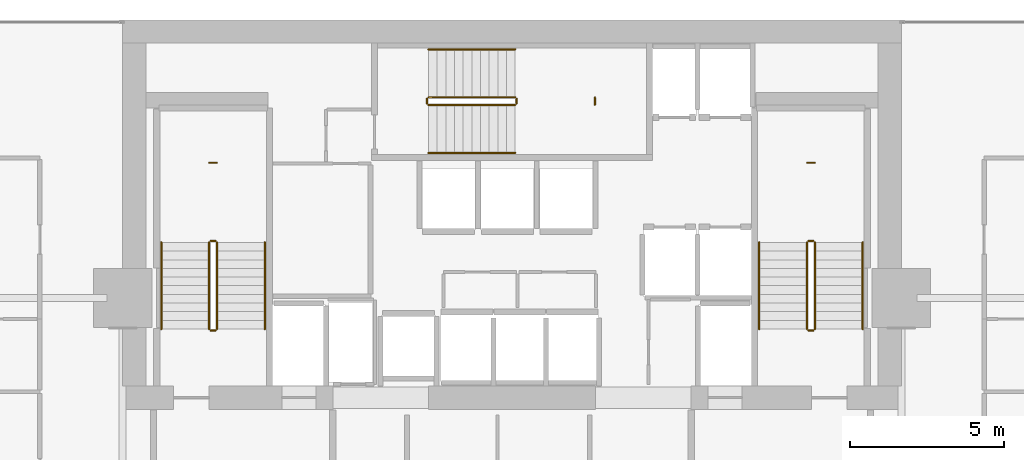
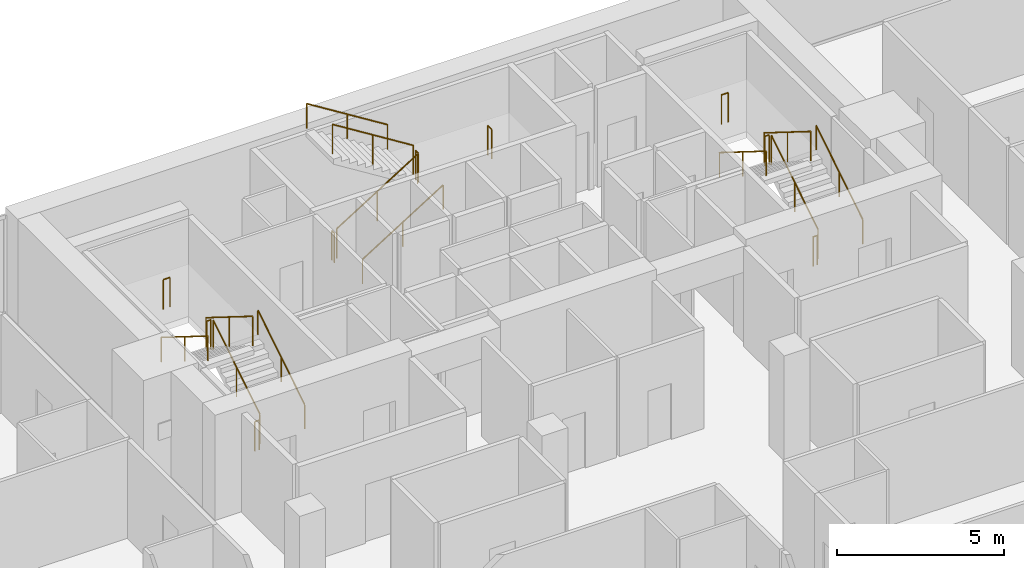
# One storey, part 34 of 34: 21 railings.
"""IFC4 building model written with IfcOpenShell, lengths in metres."""

from ifc_helpers import new_model, si_unit, direction, frame, origin, origin_2d, place, context, subcontext, project, spatial, circle, extrude, material, type_object, element, save


model = new_model("IFC4")

# Units and contexts
model_context = context("Model", 3, precision=1e-05, world=origin(), true_north=direction((0.0, 1.0)))
body_context = subcontext(model_context, "Body", "Model", "MODEL_VIEW")
ifc_project = project(units=[si_unit("LENGTHUNIT", "METRE"), si_unit("AREAUNIT", "SQUARE_METRE"), si_unit("VOLUMEUNIT", "CUBIC_METRE"), si_unit("PLANEANGLEUNIT", "RADIAN"), si_unit("MASSUNIT", "GRAM", prefix="KILO")], contexts=[model_context])

# Site, building, storey
site_placement = place(None, origin())
site = spatial("IfcSite", under=ifc_project, at=site_placement, CompositionType="ELEMENT")
building_placement = place(site_placement, origin())
building = spatial("IfcBuilding", under=site, at=building_placement, Name="Maruvema Waterfront Hotel and Observation Tower", CompositionType="ELEMENT")
storey_placement = place(building_placement, frame((0.0, 0.0, 135.10009765625)))
storey = spatial("IfcBuildingStorey", under=building, at=storey_placement, Name="L32", CompositionType="ELEMENT", Elevation=135.10009765625)

# Railings
ifc_material_1 = material(Name="Brushed stainless steel Grade 316", Category="steel")
railing_type_1 = type_object("IfcRailingType", Name="Ramp Continuous Wall Handrail 920 mm", PredefinedType="HANDRAIL", material=ifc_material_1)
railing_1_placement = place(storey_placement, frame((29.800048828125, 44.0, 0.1748046875)))
element("IfcRailing", 1, at=railing_1_placement, inside=storey, type_object=railing_type_1, Name="L32 ST-01 stair handrail 1", PredefinedType="HANDRAIL", context=body_context, shape_type="SweptSolid", body=[
    extrude(circle(Radius=0.02392578125, at=origin_2d()), frame((0.0, 0.0, 0.89599609375), z_axis=(0.0, 0.848002457836, 0.529992293815), x_axis=(-1.0, 0.0, 0.0)), (0.0, 0.0, 1.0), 3.302001953125),
    extrude(circle(Radius=0.02099609375, at=origin_2d()), origin(), (0.0, 0.0, 1.0), 0.871826171875),
    extrude(circle(Radius=0.02099609375, at=origin_2d()), frame((0.0, 1.39990234375, 0.875)), (0.0, 0.0, 1.0), 0.871826171875),
    extrude(circle(Radius=0.02099609375, at=origin_2d()), frame((0.0, 2.800048828125, 1.75)), (0.0, 0.0, 1.0), 0.871826171875),
])
railing_2_placement = place(storey_placement, frame((26.449951171875, 46.800048828125, 2.099853515625)))
element("IfcRailing", 2, at=railing_2_placement, inside=storey, type_object=railing_type_1, Name="L32 ST-01 stair handrail 2", PredefinedType="HANDRAIL", context=body_context, shape_type="SweptSolid", body=[
    extrude(circle(Radius=0.02392578125, at=origin_2d()), frame((0.0, 0.0, 0.89599609375), z_axis=(0.0, -0.848002457836, 0.529992293815), x_axis=(1.0, 0.0, 0.0)), (0.0, 0.0, 1.0), 3.302001953125),
    extrude(circle(Radius=0.02099609375, at=origin_2d()), origin(), (0.0, 0.0, 1.0), 0.871826171875),
    extrude(circle(Radius=0.02099609375, at=origin_2d()), frame((0.0, -1.39990234375, 0.875)), (0.0, 0.0, 1.0), 0.871826171875),
    extrude(circle(Radius=0.02099609375, at=origin_2d()), frame((0.0, -2.800048828125, 1.75)), (0.0, 0.0, 1.0), 0.871826171875),
])
railing_3_placement = place(storey_placement, frame((35.10009765625, 49.699951171875, 0.1748046875)))
element("IfcRailing", 3, at=railing_3_placement, inside=storey, type_object=railing_type_1, Name="L32 ST-02 stair handrail 1", PredefinedType="HANDRAIL", context=body_context, shape_type="SweptSolid", body=[
    extrude(circle(Radius=0.02392578125, at=origin_2d()), frame((0.0, 0.0, 0.89599609375), z_axis=(0.847981687118, 0.0, 0.530025526095), x_axis=(0.0, 1.0, 0.0)), (0.0, 0.0, 1.0), 3.3017578125),
    extrude(circle(Radius=0.02099609375, at=origin_2d()), origin(), (0.0, 0.0, 1.0), 0.871826171875),
    extrude(circle(Radius=0.02099609375, at=origin_2d()), frame((1.39990234375, 0.0, 0.875)), (0.0, 0.0, 1.0), 0.871826171875),
    extrude(circle(Radius=0.02099609375, at=origin_2d()), frame((2.7998046875, 0.0, 1.75)), (0.0, 0.0, 1.0), 0.871826171875),
])
railing_4_placement = place(storey_placement, frame((37.89990234375, 53.050048828125, 2.099853515625)))
element("IfcRailing", 4, at=railing_4_placement, inside=storey, type_object=railing_type_1, Name="L32 ST-02 stair handrail 2", PredefinedType="HANDRAIL", context=body_context, shape_type="SweptSolid", body=[
    extrude(circle(Radius=0.02392578125, at=origin_2d()), frame((0.0, 0.0, 0.89599609375), z_axis=(-0.847981687118, 0.0, 0.530025526095), x_axis=(0.0, -1.0, 0.0)), (0.0, 0.0, 1.0), 3.3017578125),
    extrude(circle(Radius=0.02099609375, at=origin_2d()), origin(), (0.0, 0.0, 1.0), 0.871826171875),
    extrude(circle(Radius=0.02099609375, at=origin_2d()), frame((-1.39990234375, 0.0, 0.875)), (0.0, 0.0, 1.0), 0.871826171875),
    extrude(circle(Radius=0.02099609375, at=origin_2d()), frame((-2.7998046875, 0.0, 1.75)), (0.0, 0.0, 1.0), 0.871826171875),
])
railing_5_placement = place(storey_placement, frame((49.14990234375, 44.0, 0.1748046875)))
element("IfcRailing", 5, at=railing_5_placement, inside=storey, type_object=railing_type_1, Name="L32 ST-03 stair handrail 1", PredefinedType="HANDRAIL", context=body_context, shape_type="SweptSolid", body=[
    extrude(circle(Radius=0.02392578125, at=origin_2d()), frame((0.0, 0.0, 0.89599609375), z_axis=(0.0, 0.848002457836, 0.529992293815), x_axis=(-1.0, 0.0, 0.0)), (0.0, 0.0, 1.0), 3.302001953125),
    extrude(circle(Radius=0.02099609375, at=origin_2d()), origin(), (0.0, 0.0, 1.0), 0.871826171875),
    extrude(circle(Radius=0.02099609375, at=origin_2d()), frame((0.0, 1.39990234375, 0.875)), (0.0, 0.0, 1.0), 0.871826171875),
    extrude(circle(Radius=0.02099609375, at=origin_2d()), frame((0.0, 2.800048828125, 1.75)), (0.0, 0.0, 1.0), 0.871826171875),
])
railing_6_placement = place(storey_placement, frame((45.800048828125, 46.800048828125, 2.099853515625)))
element("IfcRailing", 6, at=railing_6_placement, inside=storey, type_object=railing_type_1, Name="L32 ST-03 stair handrail 2", PredefinedType="HANDRAIL", context=body_context, shape_type="SweptSolid", body=[
    extrude(circle(Radius=0.02392578125, at=origin_2d()), frame((0.0, 0.0, 0.89599609375), z_axis=(0.0, -0.848002457836, 0.529992293815), x_axis=(1.0, 0.0, 0.0)), (0.0, 0.0, 1.0), 3.302001953125),
    extrude(circle(Radius=0.02099609375, at=origin_2d()), origin(), (0.0, 0.0, 1.0), 0.871826171875),
    extrude(circle(Radius=0.02099609375, at=origin_2d()), frame((0.0, -1.39990234375, 0.875)), (0.0, 0.0, 1.0), 0.871826171875),
    extrude(circle(Radius=0.02099609375, at=origin_2d()), frame((0.0, -2.800048828125, 1.75)), (0.0, 0.0, 1.0), 0.871826171875),
])
ifc_material_2 = material(Name="Brushed stainless steel Grade 316", Category="steel")
railing_type_2 = type_object("IfcRailingType", Name="Ramp and Terrace Guard Balustrade 1100 mm", PredefinedType="BALUSTRADE", material=ifc_material_2)
railing_7_placement = place(storey_placement, frame((28.25, 44.0, 0.1748046875)))
element("IfcRailing", 7, at=railing_7_placement, inside=storey, type_object=railing_type_2, Name="L32 ST-01 stair guard 1", PredefinedType="BALUSTRADE", context=body_context, shape_type="SweptSolid", body=[
    extrude(circle(Radius=0.02392578125, at=origin_2d()), frame((0.0, 0.0, 1.076171875), z_axis=(0.0, 0.848002457836, 0.529992293815), x_axis=(-1.0, 0.0, 0.0)), (0.0, 0.0, 1.0), 3.302001953125),
    extrude(circle(Radius=0.02099609375, at=origin_2d()), origin(), (0.0, 0.0, 1.0), 1.052001953125),
    extrude(circle(Radius=0.02099609375, at=origin_2d()), frame((0.0, 1.39990234375, 0.875)), (0.0, 0.0, 1.0), 1.052001953125),
    extrude(circle(Radius=0.02099609375, at=origin_2d()), frame((0.0, 2.800048828125, 1.75)), (0.0, 0.0, 1.0), 1.052001953125),
])
railing_8_placement = place(storey_placement, frame((28.199951171875, 46.85009765625, 1.9248046875)))
element("IfcRailing", 8, at=railing_8_placement, inside=storey, type_object=railing_type_2, Name="L32 ST-01 stair guard 2", PredefinedType="BALUSTRADE", context=body_context, shape_type="SweptSolid", body=[
    extrude(circle(Radius=0.02392578125, at=origin_2d()), frame((0.0, 0.0, 1.076171875), z_axis=(-1.0, 0.0, 0.0), x_axis=(0.0, -1.0, 0.0)), (0.0, 0.0, 1.0), 0.14990234375),
    extrude(circle(Radius=0.02099609375, at=origin_2d()), origin(), (0.0, 0.0, 1.0), 1.052001953125),
    extrude(circle(Radius=0.02099609375, at=origin_2d()), frame((-0.14990234375, 0.0, 0.0)), (0.0, 0.0, 1.0), 1.052001953125),
])
railing_9_placement = place(storey_placement, frame((28.0, 46.800048828125, 2.099853515625)))
element("IfcRailing", 9, at=railing_9_placement, inside=storey, type_object=railing_type_2, Name="L32 ST-01 stair guard 3", PredefinedType="BALUSTRADE", context=body_context, shape_type="SweptSolid", body=[
    extrude(circle(Radius=0.02392578125, at=origin_2d()), frame((0.0, 0.0, 1.076171875), z_axis=(0.0, -0.848002457836, 0.529992293815), x_axis=(1.0, 0.0, 0.0)), (0.0, 0.0, 1.0), 3.302001953125),
    extrude(circle(Radius=0.02099609375, at=origin_2d()), origin(), (0.0, 0.0, 1.0), 1.052001953125),
    extrude(circle(Radius=0.02099609375, at=origin_2d()), frame((0.0, -1.39990234375, 0.875)), (0.0, 0.0, 1.0), 1.052001953125),
    extrude(circle(Radius=0.02099609375, at=origin_2d()), frame((0.0, -2.800048828125, 1.75)), (0.0, 0.0, 1.0), 1.052001953125),
])
railing_10_placement = place(storey_placement, frame((28.199951171875, 43.949951171875, 0.0)))
element("IfcRailing", 10, at=railing_10_placement, inside=storey, type_object=railing_type_2, Name="L32 ST-01 stair guard 4", PredefinedType="BALUSTRADE", context=body_context, shape_type="SweptSolid", body=[
    extrude(circle(Radius=0.02392578125, at=origin_2d()), frame((0.0, 0.0, 1.076171875), z_axis=(-1.0, 0.0, 0.0), x_axis=(0.0, -1.0, 0.0)), (0.0, 0.0, 1.0), 0.14990234375),
    extrude(circle(Radius=0.02099609375, at=origin_2d()), origin(), (0.0, 0.0, 1.0), 1.052001953125),
    extrude(circle(Radius=0.02099609375, at=origin_2d()), frame((-0.14990234375, 0.0, 0.0)), (0.0, 0.0, 1.0), 1.052001953125),
])
railing_11_placement = place(storey_placement, frame((28.239990234375, 49.3798828125, 1.9248046875)))
element("IfcRailing", 11, at=railing_11_placement, inside=storey, type_object=railing_type_2, Name="L32 ST-01 Half-Landing Slot Guard", PredefinedType="BALUSTRADE", context=body_context, shape_type="SweptSolid", body=[
    extrude(circle(Radius=0.02392578125, at=origin_2d()), frame((0.0, 0.0, 1.076171875), z_axis=(-1.0, 0.0, 0.0), x_axis=(0.0, -1.0, 0.0)), (0.0, 0.0, 1.0), 0.22998046875),
    extrude(circle(Radius=0.02099609375, at=origin_2d()), origin(), (0.0, 0.0, 1.0), 1.052001953125),
    extrude(circle(Radius=0.02099609375, at=origin_2d()), frame((-0.22998046875, 0.0, 0.0)), (0.0, 0.0, 1.0), 1.052001953125),
])
railing_12_placement = place(storey_placement, frame((35.10009765625, 51.25, 0.1748046875)))
element("IfcRailing", 12, at=railing_12_placement, inside=storey, type_object=railing_type_2, Name="L32 ST-02 stair guard 1", PredefinedType="BALUSTRADE", context=body_context, shape_type="SweptSolid", body=[
    extrude(circle(Radius=0.02392578125, at=origin_2d()), frame((0.0, 0.0, 1.076171875), z_axis=(0.847981687118, 0.0, 0.530025526095), x_axis=(0.0, 1.0, 0.0)), (0.0, 0.0, 1.0), 3.3017578125),
    extrude(circle(Radius=0.02099609375, at=origin_2d()), origin(), (0.0, 0.0, 1.0), 1.052001953125),
    extrude(circle(Radius=0.02099609375, at=origin_2d()), frame((1.39990234375, 0.0, 0.875)), (0.0, 0.0, 1.0), 1.052001953125),
    extrude(circle(Radius=0.02099609375, at=origin_2d()), frame((2.7998046875, 0.0, 1.75)), (0.0, 0.0, 1.0), 1.052001953125),
])
railing_13_placement = place(storey_placement, frame((37.949951171875, 51.300048828125, 1.9248046875)))
element("IfcRailing", 13, at=railing_13_placement, inside=storey, type_object=railing_type_2, Name="L32 ST-02 stair guard 2", PredefinedType="BALUSTRADE", context=body_context, shape_type="SweptSolid", body=[
    extrude(circle(Radius=0.02392578125, at=origin_2d()), frame((0.0, 0.0, 1.076171875), z_axis=(0.0, 1.0, 0.0), x_axis=(-1.0, 0.0, 0.0)), (0.0, 0.0, 1.0), 0.14990234375),
    extrude(circle(Radius=0.02099609375, at=origin_2d()), origin(), (0.0, 0.0, 1.0), 1.052001953125),
    extrude(circle(Radius=0.02099609375, at=origin_2d()), frame((0.0, 0.14990234375, 0.0)), (0.0, 0.0, 1.0), 1.052001953125),
])
railing_14_placement = place(storey_placement, frame((37.89990234375, 51.5, 2.099853515625)))
element("IfcRailing", 14, at=railing_14_placement, inside=storey, type_object=railing_type_2, Name="L32 ST-02 stair guard 3", PredefinedType="BALUSTRADE", context=body_context, shape_type="SweptSolid", body=[
    extrude(circle(Radius=0.02392578125, at=origin_2d()), frame((0.0, 0.0, 1.076171875), z_axis=(-0.847981687118, 0.0, 0.530025526095), x_axis=(0.0, -1.0, 0.0)), (0.0, 0.0, 1.0), 3.3017578125),
    extrude(circle(Radius=0.02099609375, at=origin_2d()), origin(), (0.0, 0.0, 1.0), 1.052001953125),
    extrude(circle(Radius=0.02099609375, at=origin_2d()), frame((-1.39990234375, 0.0, 0.875)), (0.0, 0.0, 1.0), 1.052001953125),
    extrude(circle(Radius=0.02099609375, at=origin_2d()), frame((-2.7998046875, 0.0, 1.75)), (0.0, 0.0, 1.0), 1.052001953125),
])
railing_15_placement = place(storey_placement, frame((35.050048828125, 51.300048828125, 0.0)))
element("IfcRailing", 15, at=railing_15_placement, inside=storey, type_object=railing_type_2, Name="L32 ST-02 stair guard 4", PredefinedType="BALUSTRADE", context=body_context, shape_type="SweptSolid", body=[
    extrude(circle(Radius=0.02392578125, at=origin_2d()), frame((0.0, 0.0, 1.076171875), z_axis=(0.0, 1.0, 0.0), x_axis=(-1.0, 0.0, 0.0)), (0.0, 0.0, 1.0), 0.14990234375),
    extrude(circle(Radius=0.02099609375, at=origin_2d()), origin(), (0.0, 0.0, 1.0), 1.052001953125),
    extrude(circle(Radius=0.02099609375, at=origin_2d()), frame((0.0, 0.14990234375, 0.0)), (0.0, 0.0, 1.0), 1.052001953125),
])
railing_16_placement = place(storey_placement, frame((40.47998046875, 51.260009765625, 1.9248046875)))
element("IfcRailing", 16, at=railing_16_placement, inside=storey, type_object=railing_type_2, Name="L32 ST-02 Half-Landing Slot Guard", PredefinedType="BALUSTRADE", context=body_context, shape_type="SweptSolid", body=[
    extrude(circle(Radius=0.02392578125, at=origin_2d()), frame((0.0, 0.0, 1.076171875), z_axis=(0.0, 1.0, 0.0), x_axis=(-1.0, 0.0, 0.0)), (0.0, 0.0, 1.0), 0.22998046875),
    extrude(circle(Radius=0.02099609375, at=origin_2d()), origin(), (0.0, 0.0, 1.0), 1.052001953125),
    extrude(circle(Radius=0.02099609375, at=origin_2d()), frame((0.0, 0.22998046875, 0.0)), (0.0, 0.0, 1.0), 1.052001953125),
])
railing_17_placement = place(storey_placement, frame((47.60009765625, 44.0, 0.1748046875)))
element("IfcRailing", 17, at=railing_17_placement, inside=storey, type_object=railing_type_2, Name="L32 ST-03 stair guard 1", PredefinedType="BALUSTRADE", context=body_context, shape_type="SweptSolid", body=[
    extrude(circle(Radius=0.02392578125, at=origin_2d()), frame((0.0, 0.0, 1.076171875), z_axis=(0.0, 0.848002457836, 0.529992293815), x_axis=(-1.0, 0.0, 0.0)), (0.0, 0.0, 1.0), 3.302001953125),
    extrude(circle(Radius=0.02099609375, at=origin_2d()), origin(), (0.0, 0.0, 1.0), 1.052001953125),
    extrude(circle(Radius=0.02099609375, at=origin_2d()), frame((0.0, 1.39990234375, 0.875)), (0.0, 0.0, 1.0), 1.052001953125),
    extrude(circle(Radius=0.02099609375, at=origin_2d()), frame((0.0, 2.800048828125, 1.75)), (0.0, 0.0, 1.0), 1.052001953125),
])
railing_18_placement = place(storey_placement, frame((47.550048828125, 46.85009765625, 1.9248046875)))
element("IfcRailing", 18, at=railing_18_placement, inside=storey, type_object=railing_type_2, Name="L32 ST-03 stair guard 2", PredefinedType="BALUSTRADE", context=body_context, shape_type="SweptSolid", body=[
    extrude(circle(Radius=0.02392578125, at=origin_2d()), frame((0.0, 0.0, 1.076171875), z_axis=(-1.0, 0.0, 0.0), x_axis=(0.0, -1.0, 0.0)), (0.0, 0.0, 1.0), 0.150146484375),
    extrude(circle(Radius=0.02099609375, at=origin_2d()), origin(), (0.0, 0.0, 1.0), 1.052001953125),
    extrude(circle(Radius=0.02099609375, at=origin_2d()), frame((-0.150146484375, 0.0, 0.0)), (0.0, 0.0, 1.0), 1.052001953125),
])
railing_19_placement = place(storey_placement, frame((47.35009765625, 46.800048828125, 2.099853515625)))
element("IfcRailing", 19, at=railing_19_placement, inside=storey, type_object=railing_type_2, Name="L32 ST-03 stair guard 3", PredefinedType="BALUSTRADE", context=body_context, shape_type="SweptSolid", body=[
    extrude(circle(Radius=0.02392578125, at=origin_2d()), frame((0.0, 0.0, 1.076171875), z_axis=(0.0, -0.848002457836, 0.529992293815), x_axis=(1.0, 0.0, 0.0)), (0.0, 0.0, 1.0), 3.302001953125),
    extrude(circle(Radius=0.02099609375, at=origin_2d()), origin(), (0.0, 0.0, 1.0), 1.052001953125),
    extrude(circle(Radius=0.02099609375, at=origin_2d()), frame((0.0, -1.39990234375, 0.875)), (0.0, 0.0, 1.0), 1.052001953125),
    extrude(circle(Radius=0.02099609375, at=origin_2d()), frame((0.0, -2.800048828125, 1.75)), (0.0, 0.0, 1.0), 1.052001953125),
])
railing_20_placement = place(storey_placement, frame((47.550048828125, 43.949951171875, 0.0)))
element("IfcRailing", 20, at=railing_20_placement, inside=storey, type_object=railing_type_2, Name="L32 ST-03 stair guard 4", PredefinedType="BALUSTRADE", context=body_context, shape_type="SweptSolid", body=[
    extrude(circle(Radius=0.02392578125, at=origin_2d()), frame((0.0, 0.0, 1.076171875), z_axis=(-1.0, 0.0, 0.0), x_axis=(0.0, -1.0, 0.0)), (0.0, 0.0, 1.0), 0.150146484375),
    extrude(circle(Radius=0.02099609375, at=origin_2d()), origin(), (0.0, 0.0, 1.0), 1.052001953125),
    extrude(circle(Radius=0.02099609375, at=origin_2d()), frame((-0.150146484375, 0.0, 0.0)), (0.0, 0.0, 1.0), 1.052001953125),
])
railing_21_placement = place(storey_placement, frame((47.590087890625, 49.3798828125, 1.9248046875)))
element("IfcRailing", 21, at=railing_21_placement, inside=storey, type_object=railing_type_2, Name="L32 ST-03 Half-Landing Slot Guard", PredefinedType="BALUSTRADE", context=body_context, shape_type="SweptSolid", body=[
    extrude(circle(Radius=0.02392578125, at=origin_2d()), frame((0.0, 0.0, 1.076171875), z_axis=(-1.0, 0.0, 0.0), x_axis=(0.0, -1.0, 0.0)), (0.0, 0.0, 1.0), 0.22998046875),
    extrude(circle(Radius=0.02099609375, at=origin_2d()), origin(), (0.0, 0.0, 1.0), 1.052001953125),
    extrude(circle(Radius=0.02099609375, at=origin_2d()), frame((-0.22998046875, 0.0, 0.0)), (0.0, 0.0, 1.0), 1.052001953125),
])

save(model, "model.ifc")
